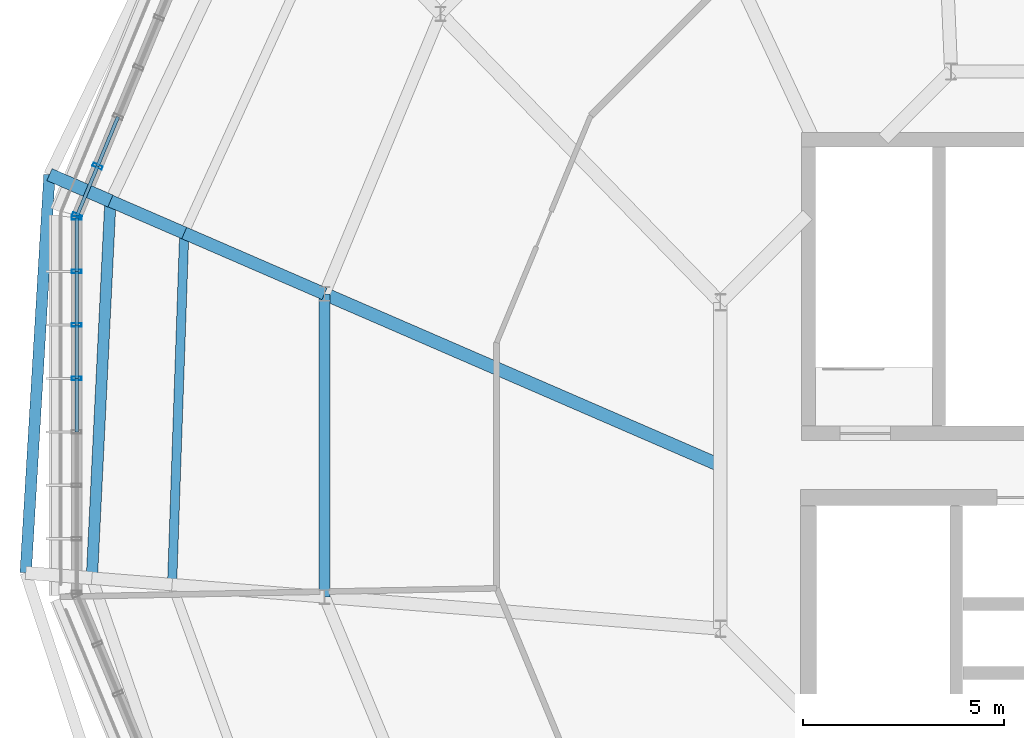
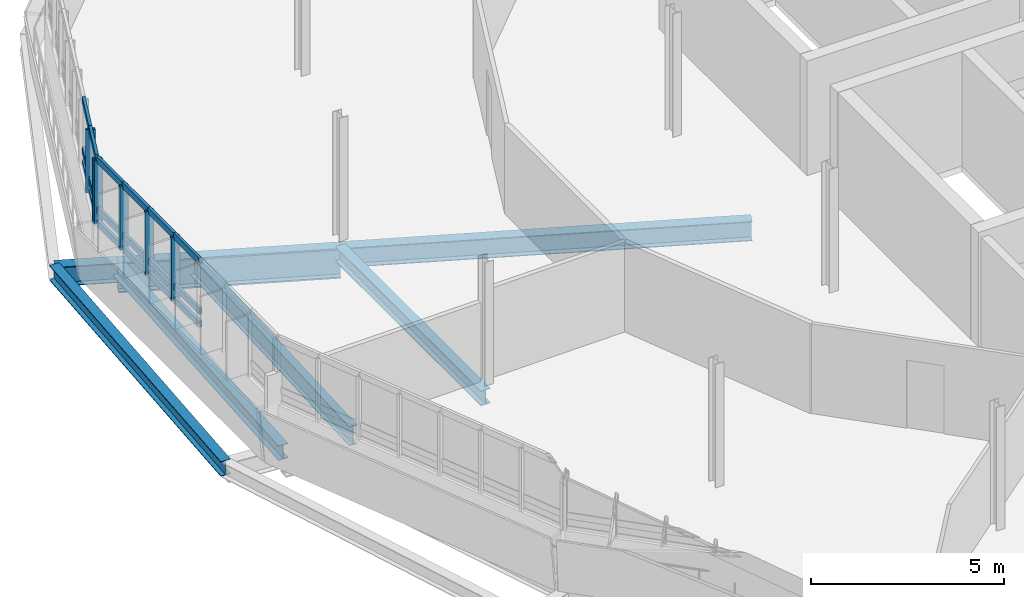
# One storey, part 10 of 31: 24 members, 8 beams, 2 elements without a shape of their own.
"""IFC4 building model written with IfcOpenShell, lengths in metres."""

from ifc_helpers import new_model, si_unit, derived_unit, direction, frame, origin, origin_2d, place, context, subcontext, project, spatial, hollow_rectangle, i_section, extrude, material, layer, layer_set, material_profile, profile_set, type_object, element, aggregate, save


model = new_model("IFC4")

# Units and contexts
model_context = context("Model", 3, precision=1e-05, world=origin(), true_north=direction((0.0, 1.0)))
body_context = subcontext(model_context, "Body", "Model", "MODEL_VIEW")
ifc_project = project(units=[si_unit("LENGTHUNIT", "METRE"), si_unit("AREAUNIT", "SQUARE_METRE"), si_unit("VOLUMEUNIT", "CUBIC_METRE"), si_unit("PLANEANGLEUNIT", "RADIAN"), si_unit("MASSUNIT", "GRAM", prefix="KILO"), derived_unit("THERMALTRANSMITTANCEUNIT", [(si_unit("MASSUNIT", "GRAM", prefix="KILO"), 1), (si_unit("TIMEUNIT", "SECOND"), -3), (si_unit("THERMODYNAMICTEMPERATUREUNIT", "KELVIN"), -1)])], contexts=[model_context])

# Site, building, storey
site_placement = place(None, origin())
site = spatial("IfcSite", under=ifc_project, at=site_placement, CompositionType="ELEMENT")
building_placement = place(site_placement, origin())
building = spatial("IfcBuilding", under=site, at=building_placement, Name="Makaiwela Harbour Ferry Terminal", CompositionType="ELEMENT")
storey_placement = place(building_placement, frame((0.0, 0.0, 21.60009765625)))
storey = spatial("IfcBuildingStorey", under=building, at=storey_placement, Name="L05", CompositionType="ELEMENT", Elevation=21.60009765625)

# Curtain wall, members
ifc_material_1 = material(Name="Marine anodised aluminium 6063-T6", Category="aluminium")
ifc_layer = layer(ifc_material_1, 0.199951171875)
ifc_layer_set = layer_set([ifc_layer], Name="Marine anodised aluminium 6063-T6")
curtain_wall_type = type_object("IfcCurtainWallType", Name="ENV-CW-07", PredefinedType="USERDEFINED", material=ifc_layer_set)
curtain_wall_1_placement = place(storey_placement, origin())
curtain_wall_1 = element("IfcCurtainWall", 1, at=curtain_wall_1_placement, inside=storey, type_object=curtain_wall_type, Name="Unitised Curtain Wall CWA-062", ObjectType="UNITIZED CURTAIN WALL", PredefinedType="USERDEFINED")
ifc_material_profile_1 = material_profile(ifc_material_1, hollow_rectangle(XDim=0.0849609375, YDim=0.25, WallThickness=0.0048828125, at=origin_2d()), Name="CWM-250X85")
ifc_profile_set_1 = profile_set([ifc_material_profile_1], Name="Marine anodised aluminium 6063-T6")
member_type_1 = type_object("IfcMemberType", Name="CW-MUL-250", PredefinedType="MULLION", material=ifc_profile_set_1)
member_1_placement = place(storey_placement, frame((12.53125, 75.037841796875, 1.47998046875), z_axis=(0.0, 0.0, 1.0), x_axis=(0.382683432365, 0.923879532511, 0.0)))
member_1 = element("IfcMember", 2, at=member_1_placement, type_object=member_type_1, Name="Curtain Wall Mullion CWA-062-7", PredefinedType="MULLION", context=body_context, shape_type="SweptSolid", body=[
    extrude(hollow_rectangle(XDim=0.0849609375, YDim=0.25, WallThickness=0.0048828125, at=origin_2d()), origin(), (0.0, 0.0, 1.0), 2.0),
])
member_2_placement = place(storey_placement, frame((12.022705078125, 73.809814453125, 1.47998046875), z_axis=(0.0, 0.0, 1.0), x_axis=(0.382683432365, 0.923879532511, 0.0)))
member_2 = element("IfcMember", 3, at=member_2_placement, type_object=member_type_1, Name="Curtain Wall Mullion CWA-062-8", PredefinedType="MULLION", context=body_context, shape_type="SweptSolid", body=[
    extrude(hollow_rectangle(XDim=0.0849609375, YDim=0.25, WallThickness=0.0048828125, at=origin_2d()), origin(), (0.0, 0.0, 1.0), 2.0),
])

curtain_wall_2_placement = place(storey_placement, origin())
curtain_wall_2 = element("IfcCurtainWall", 4, at=curtain_wall_2_placement, inside=storey, type_object=curtain_wall_type, Name="Unitised Curtain Wall CWA-063", ObjectType="UNITIZED CURTAIN WALL", PredefinedType="USERDEFINED")
member_3_placement = place(storey_placement, frame((12.01123046875, 73.752197265625, 1.47998046875), z_axis=(0.0, 0.0, 1.0), x_axis=(0.0, 1.0, 0.0)))
member_3 = element("IfcMember", 5, at=member_3_placement, type_object=member_type_1, Name="Curtain Wall Mullion CWA-063-1", PredefinedType="MULLION", context=body_context, shape_type="SweptSolid", body=[
    extrude(hollow_rectangle(XDim=0.0849609375, YDim=0.25, WallThickness=0.0048828125, at=origin_2d()), origin(), (0.0, 0.0, 1.0), 2.0),
])
member_4_placement = place(storey_placement, frame((12.01123046875, 72.423095703125, 1.47998046875), z_axis=(0.0, 0.0, 1.0), x_axis=(0.0, 1.0, 0.0)))
member_4 = element("IfcMember", 6, at=member_4_placement, type_object=member_type_1, Name="Curtain Wall Mullion CWA-063-2", PredefinedType="MULLION", context=body_context, shape_type="SweptSolid", body=[
    extrude(hollow_rectangle(XDim=0.0849609375, YDim=0.25, WallThickness=0.0048828125, at=origin_2d()), origin(), (0.0, 0.0, 1.0), 2.0),
])
member_5_placement = place(storey_placement, frame((12.01123046875, 71.09375, 1.47998046875), z_axis=(0.0, 0.0, 1.0), x_axis=(0.0, 1.0, 0.0)))
member_5 = element("IfcMember", 7, at=member_5_placement, type_object=member_type_1, Name="Curtain Wall Mullion CWA-063-3", PredefinedType="MULLION", context=body_context, shape_type="SweptSolid", body=[
    extrude(hollow_rectangle(XDim=0.0849609375, YDim=0.25, WallThickness=0.0048828125, at=origin_2d()), origin(), (0.0, 0.0, 1.0), 2.0),
])
member_6_placement = place(storey_placement, frame((12.01123046875, 69.7646484375, 1.47998046875), z_axis=(0.0, 0.0, 1.0), x_axis=(0.0, 1.0, 0.0)))
member_6 = element("IfcMember", 8, at=member_6_placement, type_object=member_type_1, Name="Curtain Wall Mullion CWA-063-4", PredefinedType="MULLION", context=body_context, shape_type="SweptSolid", body=[
    extrude(hollow_rectangle(XDim=0.0849609375, YDim=0.25, WallThickness=0.0048828125, at=origin_2d()), origin(), (0.0, 0.0, 1.0), 2.0),
])

# Member
ifc_material_profile_2 = material_profile(ifc_material_1, hollow_rectangle(XDim=0.0849609375, YDim=0.199951171875, WallThickness=0.0048828125, at=origin_2d()), Name="CWT-200X85")
ifc_profile_set_2 = profile_set([ifc_material_profile_2], Name="Marine anodised aluminium 6063-T6")
member_type_2 = type_object("IfcMemberType", Name="CW-TRN-200", PredefinedType="USERDEFINED", material=ifc_profile_set_2)
member_7_placement = place(storey_placement, frame((13.0400390625, 76.265869140625, 1.47998046875), z_axis=(-0.382762722221, -0.923846685591, 0.0), x_axis=(0.923846685591, -0.382762722221, 0.0)))
member_7 = element("IfcMember", 9, at=member_7_placement, type_object=member_type_2, Name="Curtain Wall Transom CWA-062-6-1", ObjectType="TRANSOM", PredefinedType="USERDEFINED", context=body_context, shape_type="SweptSolid", body=[
    extrude(hollow_rectangle(XDim=0.0849609375, YDim=0.199951171875, WallThickness=0.0048828125, at=origin_2d()), origin(), (0.0, 0.0, 1.0), 1.329345703125),
])

member_8_placement = place(storey_placement, frame((13.0400390625, 76.265869140625, 1.89990234375), z_axis=(-0.382762722221, -0.923846685591, 0.0), x_axis=(0.923846685591, -0.382762722221, 0.0)))
member_8 = element("IfcMember", 10, at=member_8_placement, type_object=member_type_2, Name="Curtain Wall Transom CWA-062-6-2", ObjectType="TRANSOM", PredefinedType="USERDEFINED", context=body_context, shape_type="SweptSolid", body=[
    extrude(hollow_rectangle(XDim=0.0849609375, YDim=0.199951171875, WallThickness=0.0048828125, at=origin_2d()), origin(), (0.0, 0.0, 1.0), 1.329345703125),
])

member_9_placement = place(storey_placement, frame((13.0400390625, 76.265869140625, 3.47998046875), z_axis=(-0.382762722221, -0.923846685591, 0.0), x_axis=(0.923846685591, -0.382762722221, 0.0)))
member_9 = element("IfcMember", 11, at=member_9_placement, type_object=member_type_2, Name="Curtain Wall Transom CWA-062-6-3", ObjectType="TRANSOM", PredefinedType="USERDEFINED", context=body_context, shape_type="SweptSolid", body=[
    extrude(hollow_rectangle(XDim=0.0849609375, YDim=0.199951171875, WallThickness=0.0048828125, at=origin_2d()), origin(), (0.0, 0.0, 1.0), 1.329345703125),
])

member_10_placement = place(storey_placement, frame((12.53125, 75.037841796875, 1.47998046875), z_axis=(-0.382605946964, -0.923911624209, 0.0), x_axis=(0.923911624209, -0.382605946964, 0.0)))
member_10 = element("IfcMember", 12, at=member_10_placement, type_object=member_type_2, Name="Curtain Wall Transom CWA-062-7-1", ObjectType="TRANSOM", PredefinedType="USERDEFINED", context=body_context, shape_type="SweptSolid", body=[
    extrude(hollow_rectangle(XDim=0.0849609375, YDim=0.199951171875, WallThickness=0.0048828125, at=origin_2d()), origin(), (0.0, 0.0, 1.0), 1.3291015625),
])

member_11_placement = place(storey_placement, frame((12.53125, 75.037841796875, 1.89990234375), z_axis=(-0.382605946964, -0.923911624209, 0.0), x_axis=(0.923911624209, -0.382605946964, 0.0)))
member_11 = element("IfcMember", 13, at=member_11_placement, type_object=member_type_2, Name="Curtain Wall Transom CWA-062-7-2", ObjectType="TRANSOM", PredefinedType="USERDEFINED", context=body_context, shape_type="SweptSolid", body=[
    extrude(hollow_rectangle(XDim=0.0849609375, YDim=0.199951171875, WallThickness=0.0048828125, at=origin_2d()), origin(), (0.0, 0.0, 1.0), 1.3291015625),
])

member_12_placement = place(storey_placement, frame((12.53125, 75.037841796875, 3.47998046875), z_axis=(-0.382605946964, -0.923911624209, 0.0), x_axis=(0.923911624209, -0.382605946964, 0.0)))
member_12 = element("IfcMember", 14, at=member_12_placement, type_object=member_type_2, Name="Curtain Wall Transom CWA-062-7-3", ObjectType="TRANSOM", PredefinedType="USERDEFINED", context=body_context, shape_type="SweptSolid", body=[
    extrude(hollow_rectangle(XDim=0.0849609375, YDim=0.199951171875, WallThickness=0.0048828125, at=origin_2d()), origin(), (0.0, 0.0, 1.0), 1.3291015625),
])

aggregate(curtain_wall_1, [member_1, member_2, member_7, member_8, member_9, member_10, member_11, member_12])

member_13_placement = place(storey_placement, frame((12.01123046875, 73.752197265625, 1.47998046875), z_axis=(0.0, -1.0, 0.0), x_axis=(1.0, 0.0, 0.0)))
member_13 = element("IfcMember", 15, at=member_13_placement, type_object=member_type_2, Name="Curtain Wall Transom CWA-063-1-1", ObjectType="TRANSOM", PredefinedType="USERDEFINED", context=body_context, shape_type="SweptSolid", body=[
    extrude(hollow_rectangle(XDim=0.0849609375, YDim=0.199951171875, WallThickness=0.0048828125, at=origin_2d()), origin(), (0.0, 0.0, 1.0), 1.3291015625),
])

member_14_placement = place(storey_placement, frame((12.01123046875, 73.752197265625, 1.89990234375), z_axis=(0.0, -1.0, 0.0), x_axis=(1.0, 0.0, 0.0)))
member_14 = element("IfcMember", 16, at=member_14_placement, type_object=member_type_2, Name="Curtain Wall Transom CWA-063-1-2", ObjectType="TRANSOM", PredefinedType="USERDEFINED", context=body_context, shape_type="SweptSolid", body=[
    extrude(hollow_rectangle(XDim=0.0849609375, YDim=0.199951171875, WallThickness=0.0048828125, at=origin_2d()), origin(), (0.0, 0.0, 1.0), 1.3291015625),
])

member_15_placement = place(storey_placement, frame((12.01123046875, 73.752197265625, 3.47998046875), z_axis=(0.0, -1.0, 0.0), x_axis=(1.0, 0.0, 0.0)))
member_15 = element("IfcMember", 17, at=member_15_placement, type_object=member_type_2, Name="Curtain Wall Transom CWA-063-1-3", ObjectType="TRANSOM", PredefinedType="USERDEFINED", context=body_context, shape_type="SweptSolid", body=[
    extrude(hollow_rectangle(XDim=0.0849609375, YDim=0.199951171875, WallThickness=0.0048828125, at=origin_2d()), origin(), (0.0, 0.0, 1.0), 1.3291015625),
])

member_16_placement = place(storey_placement, frame((12.01123046875, 72.423095703125, 1.47998046875), z_axis=(0.0, -1.0, 0.0), x_axis=(1.0, 0.0, 0.0)))
member_16 = element("IfcMember", 18, at=member_16_placement, type_object=member_type_2, Name="Curtain Wall Transom CWA-063-2-1", ObjectType="TRANSOM", PredefinedType="USERDEFINED", context=body_context, shape_type="SweptSolid", body=[
    extrude(hollow_rectangle(XDim=0.0849609375, YDim=0.199951171875, WallThickness=0.0048828125, at=origin_2d()), origin(), (0.0, 0.0, 1.0), 1.329345703125),
])

member_17_placement = place(storey_placement, frame((12.01123046875, 72.423095703125, 1.89990234375), z_axis=(0.0, -1.0, 0.0), x_axis=(1.0, 0.0, 0.0)))
member_17 = element("IfcMember", 19, at=member_17_placement, type_object=member_type_2, Name="Curtain Wall Transom CWA-063-2-2", ObjectType="TRANSOM", PredefinedType="USERDEFINED", context=body_context, shape_type="SweptSolid", body=[
    extrude(hollow_rectangle(XDim=0.0849609375, YDim=0.199951171875, WallThickness=0.0048828125, at=origin_2d()), origin(), (0.0, 0.0, 1.0), 1.329345703125),
])

member_18_placement = place(storey_placement, frame((12.01123046875, 72.423095703125, 3.47998046875), z_axis=(0.0, -1.0, 0.0), x_axis=(1.0, 0.0, 0.0)))
member_18 = element("IfcMember", 20, at=member_18_placement, type_object=member_type_2, Name="Curtain Wall Transom CWA-063-2-3", ObjectType="TRANSOM", PredefinedType="USERDEFINED", context=body_context, shape_type="SweptSolid", body=[
    extrude(hollow_rectangle(XDim=0.0849609375, YDim=0.199951171875, WallThickness=0.0048828125, at=origin_2d()), origin(), (0.0, 0.0, 1.0), 1.329345703125),
])

member_19_placement = place(storey_placement, frame((12.01123046875, 71.09375, 1.47998046875), z_axis=(0.0, -1.0, 0.0), x_axis=(1.0, 0.0, 0.0)))
member_19 = element("IfcMember", 21, at=member_19_placement, type_object=member_type_2, Name="Curtain Wall Transom CWA-063-3-1", ObjectType="TRANSOM", PredefinedType="USERDEFINED", context=body_context, shape_type="SweptSolid", body=[
    extrude(hollow_rectangle(XDim=0.0849609375, YDim=0.199951171875, WallThickness=0.0048828125, at=origin_2d()), origin(), (0.0, 0.0, 1.0), 1.3291015625),
])

member_20_placement = place(storey_placement, frame((12.01123046875, 71.09375, 1.89990234375), z_axis=(0.0, -1.0, 0.0), x_axis=(1.0, 0.0, 0.0)))
member_20 = element("IfcMember", 22, at=member_20_placement, type_object=member_type_2, Name="Curtain Wall Transom CWA-063-3-2", ObjectType="TRANSOM", PredefinedType="USERDEFINED", context=body_context, shape_type="SweptSolid", body=[
    extrude(hollow_rectangle(XDim=0.0849609375, YDim=0.199951171875, WallThickness=0.0048828125, at=origin_2d()), origin(), (0.0, 0.0, 1.0), 1.3291015625),
])

member_21_placement = place(storey_placement, frame((12.01123046875, 71.09375, 3.47998046875), z_axis=(0.0, -1.0, 0.0), x_axis=(1.0, 0.0, 0.0)))
member_21 = element("IfcMember", 23, at=member_21_placement, type_object=member_type_2, Name="Curtain Wall Transom CWA-063-3-3", ObjectType="TRANSOM", PredefinedType="USERDEFINED", context=body_context, shape_type="SweptSolid", body=[
    extrude(hollow_rectangle(XDim=0.0849609375, YDim=0.199951171875, WallThickness=0.0048828125, at=origin_2d()), origin(), (0.0, 0.0, 1.0), 1.3291015625),
])

member_22_placement = place(storey_placement, frame((12.01123046875, 69.7646484375, 1.47998046875), z_axis=(0.0, -1.0, 0.0), x_axis=(1.0, 0.0, 0.0)))
member_22 = element("IfcMember", 24, at=member_22_placement, type_object=member_type_2, Name="Curtain Wall Transom CWA-063-4-1", ObjectType="TRANSOM", PredefinedType="USERDEFINED", context=body_context, shape_type="SweptSolid", body=[
    extrude(hollow_rectangle(XDim=0.0849609375, YDim=0.199951171875, WallThickness=0.0048828125, at=origin_2d()), origin(), (0.0, 0.0, 1.0), 1.329345703125),
])

member_23_placement = place(storey_placement, frame((12.01123046875, 69.7646484375, 1.89990234375), z_axis=(0.0, -1.0, 0.0), x_axis=(1.0, 0.0, 0.0)))
member_23 = element("IfcMember", 25, at=member_23_placement, type_object=member_type_2, Name="Curtain Wall Transom CWA-063-4-2", ObjectType="TRANSOM", PredefinedType="USERDEFINED", context=body_context, shape_type="SweptSolid", body=[
    extrude(hollow_rectangle(XDim=0.0849609375, YDim=0.199951171875, WallThickness=0.0048828125, at=origin_2d()), origin(), (0.0, 0.0, 1.0), 1.329345703125),
])

member_24_placement = place(storey_placement, frame((12.01123046875, 69.7646484375, 3.47998046875), z_axis=(0.0, -1.0, 0.0), x_axis=(1.0, 0.0, 0.0)))
member_24 = element("IfcMember", 26, at=member_24_placement, type_object=member_type_2, Name="Curtain Wall Transom CWA-063-4-3", ObjectType="TRANSOM", PredefinedType="USERDEFINED", context=body_context, shape_type="SweptSolid", body=[
    extrude(hollow_rectangle(XDim=0.0849609375, YDim=0.199951171875, WallThickness=0.0048828125, at=origin_2d()), origin(), (0.0, 0.0, 1.0), 1.329345703125),
])

aggregate(curtain_wall_2, [member_3, member_4, member_5, member_6, member_13, member_14, member_15, member_16, member_17, member_18, member_19, member_20, member_21, member_22, member_23, member_24])

# Beams
ifc_material_2 = material(Name="Steel ASTM A992 Grade 50", Category="steel")
ifc_material_profile_3 = material_profile(ifc_material_2, i_section(OverallWidth=0.280029296875, OverallDepth=0.462890625, WebThickness=0.0107421875, FlangeThickness=0.017333984375, at=origin_2d()), Name="W18X76")
ifc_profile_set_3 = profile_set([ifc_material_profile_3], Name="Steel ASTM A992 Grade 50")
beam_type_1 = type_object("IfcBeamType", Name="STR-BM-W18X76", PredefinedType="BEAM", material=ifc_profile_set_3)
beam_1_placement = place(storey_placement, frame((12.849609375, 74.172607421875, -0.481689453125), z_axis=(-0.049040970726, -0.998796767711, 0.0), x_axis=(0.998796767711, -0.049040970726, 0.0)))
element("IfcBeam", 27, at=beam_1_placement, inside=storey, type_object=beam_type_1, Name="Drum stage2 tie girder 592", PredefinedType="BEAM", context=body_context, shape_type="SweptSolid", body=[
    extrude(i_section(OverallWidth=0.280029296875, OverallDepth=0.462890625, WebThickness=0.0107421875, FlangeThickness=0.017333984375, at=origin_2d()), origin(), (0.0, 0.0, 1.0), 9.384033203125),
])
ifc_material_profile_4 = material_profile(ifc_material_2, i_section(OverallWidth=0.324951171875, OverallDepth=0.615966796875, WebThickness=0.013916015625, FlangeThickness=0.021484375, at=origin_2d()), Name="W24X117")
ifc_profile_set_4 = profile_set([ifc_material_profile_4], Name="Steel ASTM A992 Grade 50")
beam_type_2 = type_object("IfcBeamType", Name="STR-GRD-W24X117", PredefinedType="USERDEFINED", material=ifc_profile_set_4)
beam_2_placement = place(storey_placement, frame((28.0068359375, 67.60009765625, -0.55810546875), z_axis=(-0.91745700874, 0.397834937021, 0.0), x_axis=(-0.397834937021, -0.91745700874, 0.0)))
element("IfcBeam", 28, at=beam_2_placement, inside=storey, type_object=beam_type_2, Name="Drum radial girder 549", ObjectType="GIRDER", PredefinedType="USERDEFINED", context=body_context, shape_type="SweptSolid", body=[
    extrude(i_section(OverallWidth=0.324951171875, OverallDepth=0.615966796875, WebThickness=0.013916015625, FlangeThickness=0.021484375, at=origin_2d()), origin(), (0.0, 0.0, 1.0), 10.720947265625),
])
beam_3_placement = place(storey_placement, frame((12.849609375, 74.172607421875, -0.55810546875), z_axis=(-0.917453038424, 0.39784409294, 0.0), x_axis=(-0.39784409294, -0.917453038424, 0.0)))
element("IfcBeam", 29, at=beam_3_placement, inside=storey, type_object=beam_type_2, Name="Promenade terrace bracket 552", ObjectType="GIRDER", PredefinedType="USERDEFINED", context=body_context, shape_type="SweptSolid", body=[
    extrude(i_section(OverallWidth=0.324951171875, OverallDepth=0.615966796875, WebThickness=0.013916015625, FlangeThickness=0.021484375, at=origin_2d()), origin(), (0.0, 0.0, 1.0), 1.650146484375),
])
ifc_material_profile_5 = material_profile(ifc_material_2, i_section(OverallWidth=0.22900390625, OverallDepth=0.612060546875, WebThickness=0.011962890625, FlangeThickness=0.01953125, at=origin_2d()), Name="W24X84")
ifc_profile_set_5 = profile_set([ifc_material_profile_5], Name="Steel ASTM A992 Grade 50")
beam_type_3 = type_object("IfcBeamType", Name="STR-GRD-W24X84", PredefinedType="USERDEFINED", material=ifc_profile_set_5)
beam_4_placement = place(storey_placement, frame((14.6845703125, 73.376953125, -0.55615234375), z_axis=(-0.034487282234, -0.999405136751, 0.0), x_axis=(0.999405136751, -0.034487282234, 0.0)))
element("IfcBeam", 30, at=beam_4_placement, inside=storey, type_object=beam_type_3, Name="Drum overhang tie girder 591", ObjectType="GIRDER", PredefinedType="USERDEFINED", context=body_context, shape_type="SweptSolid", body=[
    extrude(i_section(OverallWidth=0.22900390625, OverallDepth=0.612060546875, WebThickness=0.011962890625, FlangeThickness=0.01953125, at=origin_2d()), origin(), (0.0, 0.0, 1.0), 8.74267578125),
])
ifc_material_profile_6 = material_profile(ifc_material_2, i_section(OverallWidth=0.31005859375, OverallDepth=0.949951171875, WebThickness=0.0244140625, FlangeThickness=0.0439453125, at=origin_2d()), Name="W36X256")
ifc_profile_set_6 = profile_set([ifc_material_profile_6], Name="Steel ASTM A992 Grade 50")
beam_type_4 = type_object("IfcBeamType", Name="STR-GRD-W36X256", PredefinedType="USERDEFINED", material=ifc_profile_set_6)
beam_5_placement = place(storey_placement, frame((18.1708984375, 71.865234375, -0.72509765625), z_axis=(-0.917461842154, 0.397823790379, 0.0), x_axis=(-0.397823790379, -0.917461842154, 0.0)))
element("IfcBeam", 31, at=beam_5_placement, inside=storey, type_object=beam_type_4, Name="Drum radial overhang 550", ObjectType="GIRDER", PredefinedType="USERDEFINED", context=body_context, shape_type="SweptSolid", body=[
    extrude(i_section(OverallWidth=0.31005859375, OverallDepth=0.949951171875, WebThickness=0.0244140625, FlangeThickness=0.0439453125, at=origin_2d()), origin(), (0.0, 0.0, 1.0), 3.800048828125),
])
beam_6_placement = place(storey_placement, frame((14.6845703125, 73.376953125, -0.72509765625), z_axis=(-0.917463564377, 0.397819818561, 0.0), x_axis=(-0.397819818561, -0.917463564377, 0.0)))
element("IfcBeam", 32, at=beam_6_placement, inside=storey, type_object=beam_type_4, Name="Drum overhang radial girder 551", ObjectType="GIRDER", PredefinedType="USERDEFINED", context=body_context, shape_type="SweptSolid", body=[
    extrude(i_section(OverallWidth=0.31005859375, OverallDepth=0.949951171875, WebThickness=0.0244140625, FlangeThickness=0.0439453125, at=origin_2d()), origin(), (0.0, 0.0, 1.0), 2.0),
])
ifc_material_profile_7 = material_profile(ifc_material_2, i_section(OverallWidth=0.283935546875, OverallDepth=0.47607421875, WebThickness=0.014892578125, FlangeThickness=0.02392578125, at=origin_2d()), Name="W18X106")
ifc_profile_set_7 = profile_set([ifc_material_profile_7], Name="Steel ASTM A992 Grade 50")
beam_type_5 = type_object("IfcBeamType", Name="STR-SPN-W18X106", PredefinedType="SPANDREL", material=ifc_profile_set_7)
beam_7_placement = place(storey_placement, frame((18.1708984375, 71.865234375, -0.488037109375), z_axis=(0.0, -1.0, 0.0), x_axis=(1.0, 0.0, 0.0)))
element("IfcBeam", 33, at=beam_7_placement, inside=storey, type_object=beam_type_5, Name="Drum column ring girder 514", PredefinedType="SPANDREL", context=body_context, shape_type="SweptSolid", body=[
    extrude(i_section(OverallWidth=0.283935546875, OverallDepth=0.47607421875, WebThickness=0.014892578125, FlangeThickness=0.02392578125, at=origin_2d()), origin(), (0.0, 0.0, 1.0), 7.530517578125),
])
beam_8_placement = place(storey_placement, frame((11.335693359375, 74.8291015625, -0.488037109375), z_axis=(-0.059590985375, -0.99822287815, 0.0), x_axis=(0.99822287815, -0.059590985375, 0.0)))
element("IfcBeam", 34, at=beam_8_placement, inside=storey, type_object=beam_type_5, Name="Drum perimeter spandrel 609", PredefinedType="SPANDREL", context=body_context, shape_type="SweptSolid", body=[
    extrude(i_section(OverallWidth=0.283935546875, OverallDepth=0.47607421875, WebThickness=0.014892578125, FlangeThickness=0.02392578125, at=origin_2d()), origin(), (0.0, 0.0, 1.0), 9.91455078125),
])

save(model, "model.ifc")
